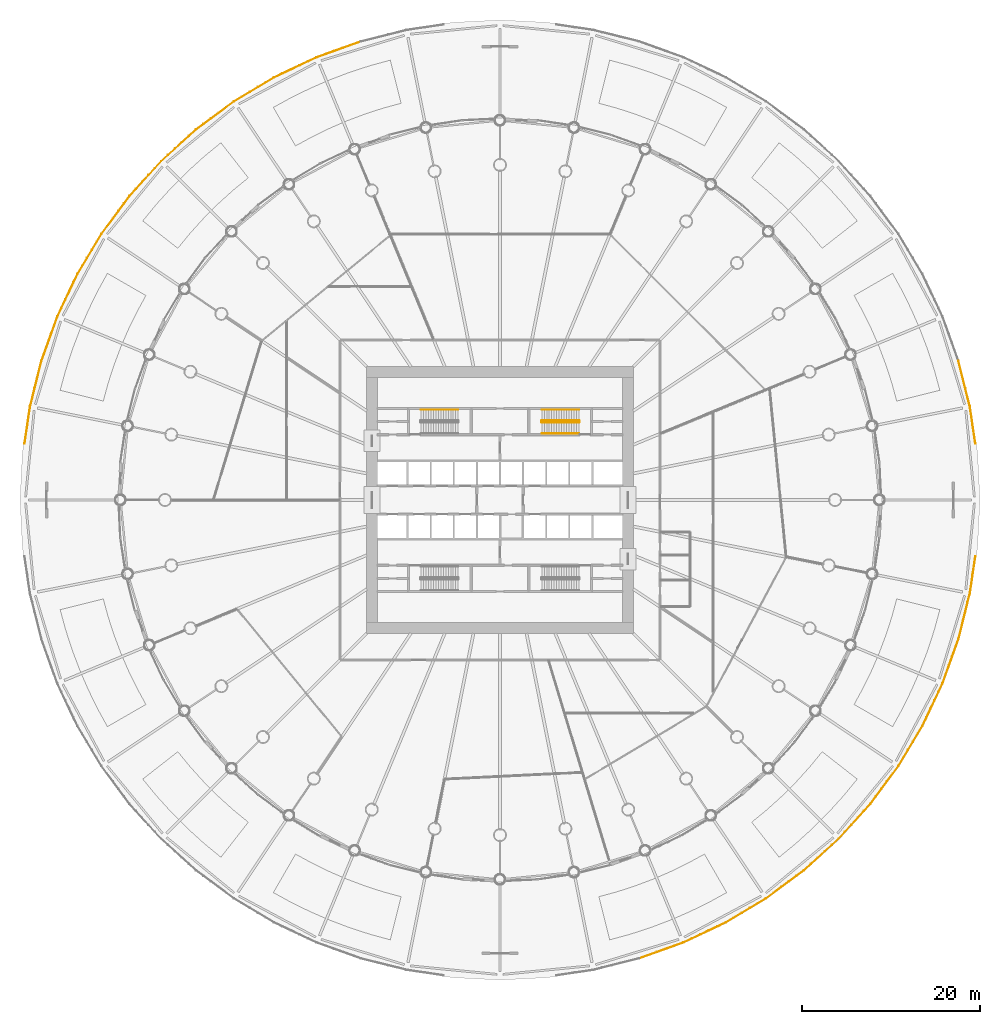
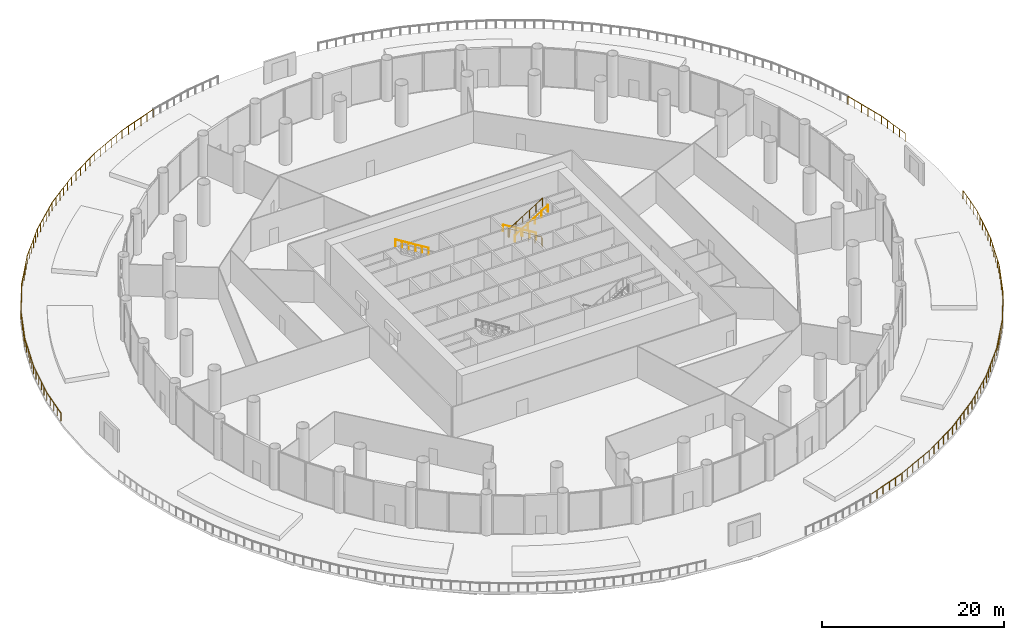
# One storey, part 35 of 36: 7 railings.
"""IFC4 building model written with IfcOpenShell, lengths in metres."""

from ifc_helpers import new_model, si_unit, direction, frame, origin, origin_2d, place, context, subcontext, project, spatial, circle, extrude, material, type_object, element, save


model = new_model("IFC4")

# Units and contexts
model_context = context("Model", 3, precision=1e-05, world=origin(), true_north=direction((0.0, 1.0)))
body_context = subcontext(model_context, "Body", "Model", "MODEL_VIEW")
ifc_project = project(units=[si_unit("LENGTHUNIT", "METRE"), si_unit("AREAUNIT", "SQUARE_METRE"), si_unit("VOLUMEUNIT", "CUBIC_METRE"), si_unit("PLANEANGLEUNIT", "RADIAN"), si_unit("MASSUNIT", "GRAM", prefix="KILO")], contexts=[model_context])

# Site, building, storey
site_placement = place(None, origin())
site = spatial("IfcSite", under=ifc_project, at=site_placement, CompositionType="ELEMENT")
building_placement = place(site_placement, origin())
building = spatial("IfcBuilding", under=site, at=building_placement, Name="Corvane Civic Tower", CompositionType="ELEMENT")
storey_placement = place(building_placement, frame((0.0, 0.0, 6.0)))
storey = spatial("IfcBuildingStorey", under=building, at=storey_placement, Name="L01", CompositionType="ELEMENT", Elevation=6.0)

# Railings
ifc_material_1 = material(Name="Steel ASTM A572 Gr 50", Category="steel")
railing_type_1 = type_object("IfcRailingType", Name="PODIUM-RL-GUARD-1100", PredefinedType="GUARDRAIL", material=ifc_material_1)
railing_1_placement = place(storey_placement, frame((-53.482177734375, 6.35009765625, 0.0)))
element("IfcRailing", 1, at=railing_1_placement, inside=storey, type_object=railing_type_1, Name="Garden deck guard 1", PredefinedType="GUARDRAIL", context=body_context, shape_type="SweptSolid", body=[
    extrude(circle(Radius=0.02392578125, at=origin_2d()), frame((0.0, 0.0, 1.076171875), z_axis=(0.146744073666, 0.989174492617, 0.0), x_axis=(-0.989174492617, 0.146744073666, 0.0)), (0.0, 0.0, 1.0), 4.2109375),
    extrude(circle(Radius=0.02392578125, at=origin_2d()), frame((0.617919921875, 4.165283203125, 1.076171875), z_axis=(0.242970018777, 0.970033798368, 0.0), x_axis=(-0.970033798368, 0.242970018777, 0.0)), (0.0, 0.0, 1.0), 5.289306640625),
    extrude(circle(Radius=0.02392578125, at=origin_2d()), frame((1.903076171875, 9.296142578125, 1.076171875), z_axis=(0.33693572485, 0.941527650852, 0.0), x_axis=(-0.941527650852, 0.33693572485, 0.0)), (0.0, 0.0, 1.0), 5.28955078125),
    extrude(circle(Radius=0.02392578125, at=origin_2d()), frame((3.685302734375, 14.2763671875, 1.076171875), z_axis=(0.427536683178, 0.903998000295, 0.0), x_axis=(-0.903998000295, 0.427536683178, 0.0)), (0.0, 0.0, 1.0), 5.28955078125),
    extrude(circle(Radius=0.02392578125, at=origin_2d()), frame((5.94677734375, 19.05810546875, 1.076171875), z_axis=(0.514095220589, 0.85773311943, 0.0), x_axis=(-0.85773311943, 0.514095220589, 0.0)), (0.0, 0.0, 1.0), 5.289306640625),
    extrude(circle(Radius=0.02392578125, at=origin_2d()), frame((8.666015625, 23.594970703125, 1.076171875), z_axis=(0.595671181716, 0.80322838799, 0.0), x_axis=(-0.80322838799, 0.595671181716, 0.0)), (0.0, 0.0, 1.0), 5.28955078125),
    extrude(circle(Radius=0.02392578125, at=origin_2d()), frame((11.81689453125, 27.84375, 1.076171875), z_axis=(0.671569316208, 0.740941734233, 0.0), x_axis=(-0.740941734233, 0.671569316208, 0.0)), (0.0, 0.0, 1.0), 5.28955078125),
    extrude(circle(Radius=0.02392578125, at=origin_2d()), frame((15.369140625, 31.762939453125, 1.076171875), z_axis=(0.740941734233, 0.671569316208, 0.0), x_axis=(-0.671569316208, 0.740941734233, 0.0)), (0.0, 0.0, 1.0), 5.28955078125),
    extrude(circle(Radius=0.02392578125, at=origin_2d()), frame((19.288330078125, 35.315185546875, 1.076171875), z_axis=(0.80322838799, 0.595671181716, 0.0), x_axis=(-0.595671181716, 0.80322838799, 0.0)), (0.0, 0.0, 1.0), 5.28955078125),
    extrude(circle(Radius=0.02392578125, at=origin_2d()), frame((23.537109375, 38.466064453125, 1.076171875), z_axis=(0.85773311943, 0.514095220589, 0.0), x_axis=(-0.514095220589, 0.85773311943, 0.0)), (0.0, 0.0, 1.0), 5.289306640625),
    extrude(circle(Radius=0.02392578125, at=origin_2d()), frame((28.073974609375, 41.185302734375, 1.076171875), z_axis=(0.903998000295, 0.427536683178, 0.0), x_axis=(-0.427536683178, 0.903998000295, 0.0)), (0.0, 0.0, 1.0), 5.28955078125),
    extrude(circle(Radius=0.02392578125, at=origin_2d()), frame((32.855712890625, 43.44677734375, 1.076171875), z_axis=(0.941531880731, 0.336923904714, 0.0), x_axis=(-0.336923904714, 0.941531880731, 0.0)), (0.0, 0.0, 1.0), 5.264404296875),
    extrude(circle(Radius=0.02099609375, at=origin_2d()), origin(), (0.0, 0.0, 1.0), 1.052001953125),
    extrude(circle(Radius=0.02099609375, at=origin_2d()), frame((0.154541015625, 1.041259765625, 0.0)), (0.0, 0.0, 1.0), 1.052001953125),
    extrude(circle(Radius=0.02099609375, at=origin_2d()), frame((0.30908203125, 2.08251953125, 0.0)), (0.0, 0.0, 1.0), 1.052001953125),
    extrude(circle(Radius=0.02099609375, at=origin_2d()), frame((0.46337890625, 3.1240234375, 0.0)), (0.0, 0.0, 1.0), 1.052001953125),
    extrude(circle(Radius=0.02099609375, at=origin_2d()), frame((0.617919921875, 4.165283203125, 0.0)), (0.0, 0.0, 1.0), 1.052001953125),
    extrude(circle(Radius=0.02099609375, at=origin_2d()), frame((0.875, 5.19140625, 0.0)), (0.0, 0.0, 1.0), 1.052001953125),
    extrude(circle(Radius=0.02099609375, at=origin_2d()), frame((1.132080078125, 6.217529296875, 0.0)), (0.0, 0.0, 1.0), 1.052001953125),
    extrude(circle(Radius=0.02099609375, at=origin_2d()), frame((1.388916015625, 7.243896484375, 0.0)), (0.0, 0.0, 1.0), 1.052001953125),
    extrude(circle(Radius=0.02099609375, at=origin_2d()), frame((1.64599609375, 8.27001953125, 0.0)), (0.0, 0.0, 1.0), 1.052001953125),
    extrude(circle(Radius=0.02099609375, at=origin_2d()), frame((1.903076171875, 9.296142578125, 0.0)), (0.0, 0.0, 1.0), 1.052001953125),
    extrude(circle(Radius=0.02099609375, at=origin_2d()), frame((2.259521484375, 10.292236328125, 0.0)), (0.0, 0.0, 1.0), 1.052001953125),
    extrude(circle(Radius=0.02099609375, at=origin_2d()), frame((2.615966796875, 11.288330078125, 0.0)), (0.0, 0.0, 1.0), 1.052001953125),
    extrude(circle(Radius=0.02099609375, at=origin_2d()), frame((2.972412109375, 12.2841796875, 0.0)), (0.0, 0.0, 1.0), 1.052001953125),
    extrude(circle(Radius=0.02099609375, at=origin_2d()), frame((3.328857421875, 13.2802734375, 0.0)), (0.0, 0.0, 1.0), 1.052001953125),
    extrude(circle(Radius=0.02099609375, at=origin_2d()), frame((3.685302734375, 14.2763671875, 0.0)), (0.0, 0.0, 1.0), 1.052001953125),
    extrude(circle(Radius=0.02099609375, at=origin_2d()), frame((4.1376953125, 15.232666015625, 0.0)), (0.0, 0.0, 1.0), 1.052001953125),
    extrude(circle(Radius=0.02099609375, at=origin_2d()), frame((4.58984375, 16.18896484375, 0.0)), (0.0, 0.0, 1.0), 1.052001953125),
    extrude(circle(Radius=0.02099609375, at=origin_2d()), frame((5.042236328125, 17.1455078125, 0.0)), (0.0, 0.0, 1.0), 1.052001953125),
    extrude(circle(Radius=0.02099609375, at=origin_2d()), frame((5.494384765625, 18.101806640625, 0.0)), (0.0, 0.0, 1.0), 1.052001953125),
    extrude(circle(Radius=0.02099609375, at=origin_2d()), frame((5.94677734375, 19.05810546875, 0.0)), (0.0, 0.0, 1.0), 1.052001953125),
    extrude(circle(Radius=0.02099609375, at=origin_2d()), frame((6.49072265625, 19.965576171875, 0.0)), (0.0, 0.0, 1.0), 1.052001953125),
    extrude(circle(Radius=0.02099609375, at=origin_2d()), frame((7.034423828125, 20.872802734375, 0.0)), (0.0, 0.0, 1.0), 1.052001953125),
    extrude(circle(Radius=0.02099609375, at=origin_2d()), frame((7.578369140625, 21.7802734375, 0.0)), (0.0, 0.0, 1.0), 1.052001953125),
    extrude(circle(Radius=0.02099609375, at=origin_2d()), frame((8.1220703125, 22.6875, 0.0)), (0.0, 0.0, 1.0), 1.052001953125),
    extrude(circle(Radius=0.02099609375, at=origin_2d()), frame((8.666015625, 23.594970703125, 0.0)), (0.0, 0.0, 1.0), 1.052001953125),
    extrude(circle(Radius=0.02099609375, at=origin_2d()), frame((9.296142578125, 24.44482421875, 0.0)), (0.0, 0.0, 1.0), 1.052001953125),
    extrude(circle(Radius=0.02099609375, at=origin_2d()), frame((9.92626953125, 25.29443359375, 0.0)), (0.0, 0.0, 1.0), 1.052001953125),
    extrude(circle(Radius=0.02099609375, at=origin_2d()), frame((10.556640625, 26.144287109375, 0.0)), (0.0, 0.0, 1.0), 1.052001953125),
    extrude(circle(Radius=0.02099609375, at=origin_2d()), frame((11.186767578125, 26.993896484375, 0.0)), (0.0, 0.0, 1.0), 1.052001953125),
    extrude(circle(Radius=0.02099609375, at=origin_2d()), frame((11.81689453125, 27.84375, 0.0)), (0.0, 0.0, 1.0), 1.052001953125),
    extrude(circle(Radius=0.02099609375, at=origin_2d()), frame((12.52734375, 28.627685546875, 0.0)), (0.0, 0.0, 1.0), 1.052001953125),
    extrude(circle(Radius=0.02099609375, at=origin_2d()), frame((13.23779296875, 29.411376953125, 0.0)), (0.0, 0.0, 1.0), 1.052001953125),
    extrude(circle(Radius=0.02099609375, at=origin_2d()), frame((13.9482421875, 30.1953125, 0.0)), (0.0, 0.0, 1.0), 1.052001953125),
    extrude(circle(Radius=0.02099609375, at=origin_2d()), frame((14.65869140625, 30.97900390625, 0.0)), (0.0, 0.0, 1.0), 1.052001953125),
    extrude(circle(Radius=0.02099609375, at=origin_2d()), frame((15.369140625, 31.762939453125, 0.0)), (0.0, 0.0, 1.0), 1.052001953125),
    extrude(circle(Radius=0.02099609375, at=origin_2d()), frame((16.153076171875, 32.473388671875, 0.0)), (0.0, 0.0, 1.0), 1.052001953125),
    extrude(circle(Radius=0.02099609375, at=origin_2d()), frame((16.936767578125, 33.183837890625, 0.0)), (0.0, 0.0, 1.0), 1.052001953125),
    extrude(circle(Radius=0.02099609375, at=origin_2d()), frame((17.720703125, 33.894287109375, 0.0)), (0.0, 0.0, 1.0), 1.052001953125),
    extrude(circle(Radius=0.02099609375, at=origin_2d()), frame((18.50439453125, 34.604736328125, 0.0)), (0.0, 0.0, 1.0), 1.052001953125),
    extrude(circle(Radius=0.02099609375, at=origin_2d()), frame((19.288330078125, 35.315185546875, 0.0)), (0.0, 0.0, 1.0), 1.052001953125),
    extrude(circle(Radius=0.02099609375, at=origin_2d()), frame((20.13818359375, 35.9453125, 0.0)), (0.0, 0.0, 1.0), 1.052001953125),
    extrude(circle(Radius=0.02099609375, at=origin_2d()), frame((20.98779296875, 36.575439453125, 0.0)), (0.0, 0.0, 1.0), 1.052001953125),
    extrude(circle(Radius=0.02099609375, at=origin_2d()), frame((21.837646484375, 37.205810546875, 0.0)), (0.0, 0.0, 1.0), 1.052001953125),
    extrude(circle(Radius=0.02099609375, at=origin_2d()), frame((22.687255859375, 37.8359375, 0.0)), (0.0, 0.0, 1.0), 1.052001953125),
    extrude(circle(Radius=0.02099609375, at=origin_2d()), frame((23.537109375, 38.466064453125, 0.0)), (0.0, 0.0, 1.0), 1.052001953125),
    extrude(circle(Radius=0.02099609375, at=origin_2d()), frame((24.444580078125, 39.010009765625, 0.0)), (0.0, 0.0, 1.0), 1.052001953125),
    extrude(circle(Radius=0.02099609375, at=origin_2d()), frame((25.351806640625, 39.5537109375, 0.0)), (0.0, 0.0, 1.0), 1.052001953125),
    extrude(circle(Radius=0.02099609375, at=origin_2d()), frame((26.25927734375, 40.09765625, 0.0)), (0.0, 0.0, 1.0), 1.052001953125),
    extrude(circle(Radius=0.02099609375, at=origin_2d()), frame((27.16650390625, 40.641357421875, 0.0)), (0.0, 0.0, 1.0), 1.052001953125),
    extrude(circle(Radius=0.02099609375, at=origin_2d()), frame((28.073974609375, 41.185302734375, 0.0)), (0.0, 0.0, 1.0), 1.052001953125),
    extrude(circle(Radius=0.02099609375, at=origin_2d()), frame((29.0302734375, 41.6376953125, 0.0)), (0.0, 0.0, 1.0), 1.052001953125),
    extrude(circle(Radius=0.02099609375, at=origin_2d()), frame((29.986572265625, 42.08984375, 0.0)), (0.0, 0.0, 1.0), 1.052001953125),
    extrude(circle(Radius=0.02099609375, at=origin_2d()), frame((30.943115234375, 42.542236328125, 0.0)), (0.0, 0.0, 1.0), 1.052001953125),
    extrude(circle(Radius=0.02099609375, at=origin_2d()), frame((31.8994140625, 42.994384765625, 0.0)), (0.0, 0.0, 1.0), 1.052001953125),
    extrude(circle(Radius=0.02099609375, at=origin_2d()), frame((32.855712890625, 43.44677734375, 0.0)), (0.0, 0.0, 1.0), 1.052001953125),
    extrude(circle(Radius=0.02099609375, at=origin_2d()), frame((33.846923828125, 43.801513671875, 0.0)), (0.0, 0.0, 1.0), 1.052001953125),
    extrude(circle(Radius=0.02099609375, at=origin_2d()), frame((34.83837890625, 44.15625, 0.0)), (0.0, 0.0, 1.0), 1.052001953125),
    extrude(circle(Radius=0.02099609375, at=origin_2d()), frame((35.82958984375, 44.510986328125, 0.0)), (0.0, 0.0, 1.0), 1.052001953125),
    extrude(circle(Radius=0.02099609375, at=origin_2d()), frame((36.821044921875, 44.86572265625, 0.0)), (0.0, 0.0, 1.0), 1.052001953125),
    extrude(circle(Radius=0.02099609375, at=origin_2d()), frame((37.812255859375, 45.220458984375, 0.0)), (0.0, 0.0, 1.0), 1.052001953125),
])
railing_2_placement = place(storey_placement, frame((51.585205078125, 15.6220703125, 0.0)))
element("IfcRailing", 2, at=railing_2_placement, inside=storey, type_object=railing_type_1, Name="Garden deck guard 6", PredefinedType="GUARDRAIL", context=body_context, shape_type="SweptSolid", body=[
    extrude(circle(Radius=0.02392578125, at=origin_2d()), frame((0.0, 0.0, 1.076171875), z_axis=(0.242961164974, -0.970036015988, 0.0), x_axis=(0.970036015988, 0.242961164974, 0.0)), (0.0, 0.0, 1.0), 5.264404296875),
    extrude(circle(Radius=0.02392578125, at=origin_2d()), frame((1.279052734375, -5.106689453125, 1.076171875), z_axis=(0.146744073666, -0.989174492617, 0.0), x_axis=(0.989174492617, 0.146744073666, 0.0)), (0.0, 0.0, 1.0), 4.2109375),
    extrude(circle(Radius=0.02099609375, at=origin_2d()), origin(), (0.0, 0.0, 1.0), 1.052001953125),
    extrude(circle(Radius=0.02099609375, at=origin_2d()), frame((0.255859375, -1.021240234375, 0.0)), (0.0, 0.0, 1.0), 1.052001953125),
    extrude(circle(Radius=0.02099609375, at=origin_2d()), frame((0.51171875, -2.042724609375, 0.0)), (0.0, 0.0, 1.0), 1.052001953125),
    extrude(circle(Radius=0.02099609375, at=origin_2d()), frame((0.767333984375, -3.06396484375, 0.0)), (0.0, 0.0, 1.0), 1.052001953125),
    extrude(circle(Radius=0.02099609375, at=origin_2d()), frame((1.023193359375, -4.08544921875, 0.0)), (0.0, 0.0, 1.0), 1.052001953125),
    extrude(circle(Radius=0.02099609375, at=origin_2d()), frame((1.279052734375, -5.106689453125, 0.0)), (0.0, 0.0, 1.0), 1.052001953125),
    extrude(circle(Radius=0.02099609375, at=origin_2d()), frame((1.43359375, -6.14794921875, 0.0)), (0.0, 0.0, 1.0), 1.052001953125),
    extrude(circle(Radius=0.02099609375, at=origin_2d()), frame((1.587890625, -7.189453125, 0.0)), (0.0, 0.0, 1.0), 1.052001953125),
    extrude(circle(Radius=0.02099609375, at=origin_2d()), frame((1.742431640625, -8.230712890625, 0.0)), (0.0, 0.0, 1.0), 1.052001953125),
    extrude(circle(Radius=0.02099609375, at=origin_2d()), frame((1.89697265625, -9.27197265625, 0.0)), (0.0, 0.0, 1.0), 1.052001953125),
])
railing_3_placement = place(storey_placement, frame((53.482177734375, -6.35009765625, 0.0)))
element("IfcRailing", 3, at=railing_3_placement, inside=storey, type_object=railing_type_1, Name="Garden deck guard 7", PredefinedType="GUARDRAIL", context=body_context, shape_type="SweptSolid", body=[
    extrude(circle(Radius=0.02392578125, at=origin_2d()), frame((0.0, 0.0, 1.076171875), z_axis=(-0.146744073666, -0.989174492617, 0.0), x_axis=(0.989174492617, -0.146744073666, 0.0)), (0.0, 0.0, 1.0), 4.2109375),
    extrude(circle(Radius=0.02392578125, at=origin_2d()), frame((-0.617919921875, -4.165283203125, 1.076171875), z_axis=(-0.242970018777, -0.970033798368, 0.0), x_axis=(0.970033798368, -0.242970018777, 0.0)), (0.0, 0.0, 1.0), 5.289306640625),
    extrude(circle(Radius=0.02392578125, at=origin_2d()), frame((-1.903076171875, -9.296142578125, 1.076171875), z_axis=(-0.33693572485, -0.941527650852, 0.0), x_axis=(0.941527650852, -0.33693572485, 0.0)), (0.0, 0.0, 1.0), 5.28955078125),
    extrude(circle(Radius=0.02392578125, at=origin_2d()), frame((-3.685302734375, -14.2763671875, 1.076171875), z_axis=(-0.427536683178, -0.903998000295, 0.0), x_axis=(0.903998000295, -0.427536683178, 0.0)), (0.0, 0.0, 1.0), 5.28955078125),
    extrude(circle(Radius=0.02392578125, at=origin_2d()), frame((-5.94677734375, -19.05810546875, 1.076171875), z_axis=(-0.514095220589, -0.85773311943, 0.0), x_axis=(0.85773311943, -0.514095220589, 0.0)), (0.0, 0.0, 1.0), 5.289306640625),
    extrude(circle(Radius=0.02392578125, at=origin_2d()), frame((-8.666015625, -23.594970703125, 1.076171875), z_axis=(-0.595671181716, -0.80322838799, 0.0), x_axis=(0.80322838799, -0.595671181716, 0.0)), (0.0, 0.0, 1.0), 5.28955078125),
    extrude(circle(Radius=0.02392578125, at=origin_2d()), frame((-11.81689453125, -27.84375, 1.076171875), z_axis=(-0.671569316208, -0.740941734233, 0.0), x_axis=(0.740941734233, -0.671569316208, 0.0)), (0.0, 0.0, 1.0), 5.28955078125),
    extrude(circle(Radius=0.02392578125, at=origin_2d()), frame((-15.369140625, -31.762939453125, 1.076171875), z_axis=(-0.740941734233, -0.671569316208, 0.0), x_axis=(0.671569316208, -0.740941734233, 0.0)), (0.0, 0.0, 1.0), 5.28955078125),
    extrude(circle(Radius=0.02392578125, at=origin_2d()), frame((-19.288330078125, -35.315185546875, 1.076171875), z_axis=(-0.80322838799, -0.595671181716, 0.0), x_axis=(0.595671181716, -0.80322838799, 0.0)), (0.0, 0.0, 1.0), 5.28955078125),
    extrude(circle(Radius=0.02392578125, at=origin_2d()), frame((-23.537109375, -38.466064453125, 1.076171875), z_axis=(-0.85773311943, -0.514095220589, 0.0), x_axis=(0.514095220589, -0.85773311943, 0.0)), (0.0, 0.0, 1.0), 5.289306640625),
    extrude(circle(Radius=0.02392578125, at=origin_2d()), frame((-28.073974609375, -41.185302734375, 1.076171875), z_axis=(-0.903998000295, -0.427536683178, 0.0), x_axis=(0.427536683178, -0.903998000295, 0.0)), (0.0, 0.0, 1.0), 5.28955078125),
    extrude(circle(Radius=0.02392578125, at=origin_2d()), frame((-32.855712890625, -43.44677734375, 1.076171875), z_axis=(-0.941531880731, -0.336923904714, 0.0), x_axis=(0.336923904714, -0.941531880731, 0.0)), (0.0, 0.0, 1.0), 5.264404296875),
    extrude(circle(Radius=0.02099609375, at=origin_2d()), origin(), (0.0, 0.0, 1.0), 1.052001953125),
    extrude(circle(Radius=0.02099609375, at=origin_2d()), frame((-0.154541015625, -1.041259765625, 0.0)), (0.0, 0.0, 1.0), 1.052001953125),
    extrude(circle(Radius=0.02099609375, at=origin_2d()), frame((-0.30908203125, -2.08251953125, 0.0)), (0.0, 0.0, 1.0), 1.052001953125),
    extrude(circle(Radius=0.02099609375, at=origin_2d()), frame((-0.46337890625, -3.1240234375, 0.0)), (0.0, 0.0, 1.0), 1.052001953125),
    extrude(circle(Radius=0.02099609375, at=origin_2d()), frame((-0.617919921875, -4.165283203125, 0.0)), (0.0, 0.0, 1.0), 1.052001953125),
    extrude(circle(Radius=0.02099609375, at=origin_2d()), frame((-0.875, -5.19140625, 0.0)), (0.0, 0.0, 1.0), 1.052001953125),
    extrude(circle(Radius=0.02099609375, at=origin_2d()), frame((-1.132080078125, -6.217529296875, 0.0)), (0.0, 0.0, 1.0), 1.052001953125),
    extrude(circle(Radius=0.02099609375, at=origin_2d()), frame((-1.388916015625, -7.243896484375, 0.0)), (0.0, 0.0, 1.0), 1.052001953125),
    extrude(circle(Radius=0.02099609375, at=origin_2d()), frame((-1.64599609375, -8.27001953125, 0.0)), (0.0, 0.0, 1.0), 1.052001953125),
    extrude(circle(Radius=0.02099609375, at=origin_2d()), frame((-1.903076171875, -9.296142578125, 0.0)), (0.0, 0.0, 1.0), 1.052001953125),
    extrude(circle(Radius=0.02099609375, at=origin_2d()), frame((-2.259521484375, -10.292236328125, 0.0)), (0.0, 0.0, 1.0), 1.052001953125),
    extrude(circle(Radius=0.02099609375, at=origin_2d()), frame((-2.615966796875, -11.288330078125, 0.0)), (0.0, 0.0, 1.0), 1.052001953125),
    extrude(circle(Radius=0.02099609375, at=origin_2d()), frame((-2.972412109375, -12.2841796875, 0.0)), (0.0, 0.0, 1.0), 1.052001953125),
    extrude(circle(Radius=0.02099609375, at=origin_2d()), frame((-3.328857421875, -13.2802734375, 0.0)), (0.0, 0.0, 1.0), 1.052001953125),
    extrude(circle(Radius=0.02099609375, at=origin_2d()), frame((-3.685302734375, -14.2763671875, 0.0)), (0.0, 0.0, 1.0), 1.052001953125),
    extrude(circle(Radius=0.02099609375, at=origin_2d()), frame((-4.1376953125, -15.232666015625, 0.0)), (0.0, 0.0, 1.0), 1.052001953125),
    extrude(circle(Radius=0.02099609375, at=origin_2d()), frame((-4.58984375, -16.18896484375, 0.0)), (0.0, 0.0, 1.0), 1.052001953125),
    extrude(circle(Radius=0.02099609375, at=origin_2d()), frame((-5.042236328125, -17.1455078125, 0.0)), (0.0, 0.0, 1.0), 1.052001953125),
    extrude(circle(Radius=0.02099609375, at=origin_2d()), frame((-5.494384765625, -18.101806640625, 0.0)), (0.0, 0.0, 1.0), 1.052001953125),
    extrude(circle(Radius=0.02099609375, at=origin_2d()), frame((-5.94677734375, -19.05810546875, 0.0)), (0.0, 0.0, 1.0), 1.052001953125),
    extrude(circle(Radius=0.02099609375, at=origin_2d()), frame((-6.49072265625, -19.965576171875, 0.0)), (0.0, 0.0, 1.0), 1.052001953125),
    extrude(circle(Radius=0.02099609375, at=origin_2d()), frame((-7.034423828125, -20.872802734375, 0.0)), (0.0, 0.0, 1.0), 1.052001953125),
    extrude(circle(Radius=0.02099609375, at=origin_2d()), frame((-7.578369140625, -21.7802734375, 0.0)), (0.0, 0.0, 1.0), 1.052001953125),
    extrude(circle(Radius=0.02099609375, at=origin_2d()), frame((-8.1220703125, -22.6875, 0.0)), (0.0, 0.0, 1.0), 1.052001953125),
    extrude(circle(Radius=0.02099609375, at=origin_2d()), frame((-8.666015625, -23.594970703125, 0.0)), (0.0, 0.0, 1.0), 1.052001953125),
    extrude(circle(Radius=0.02099609375, at=origin_2d()), frame((-9.296142578125, -24.44482421875, 0.0)), (0.0, 0.0, 1.0), 1.052001953125),
    extrude(circle(Radius=0.02099609375, at=origin_2d()), frame((-9.92626953125, -25.29443359375, 0.0)), (0.0, 0.0, 1.0), 1.052001953125),
    extrude(circle(Radius=0.02099609375, at=origin_2d()), frame((-10.556640625, -26.144287109375, 0.0)), (0.0, 0.0, 1.0), 1.052001953125),
    extrude(circle(Radius=0.02099609375, at=origin_2d()), frame((-11.186767578125, -26.993896484375, 0.0)), (0.0, 0.0, 1.0), 1.052001953125),
    extrude(circle(Radius=0.02099609375, at=origin_2d()), frame((-11.81689453125, -27.84375, 0.0)), (0.0, 0.0, 1.0), 1.052001953125),
    extrude(circle(Radius=0.02099609375, at=origin_2d()), frame((-12.52734375, -28.627685546875, 0.0)), (0.0, 0.0, 1.0), 1.052001953125),
    extrude(circle(Radius=0.02099609375, at=origin_2d()), frame((-13.23779296875, -29.411376953125, 0.0)), (0.0, 0.0, 1.0), 1.052001953125),
    extrude(circle(Radius=0.02099609375, at=origin_2d()), frame((-13.9482421875, -30.1953125, 0.0)), (0.0, 0.0, 1.0), 1.052001953125),
    extrude(circle(Radius=0.02099609375, at=origin_2d()), frame((-14.65869140625, -30.97900390625, 0.0)), (0.0, 0.0, 1.0), 1.052001953125),
    extrude(circle(Radius=0.02099609375, at=origin_2d()), frame((-15.369140625, -31.762939453125, 0.0)), (0.0, 0.0, 1.0), 1.052001953125),
    extrude(circle(Radius=0.02099609375, at=origin_2d()), frame((-16.153076171875, -32.473388671875, 0.0)), (0.0, 0.0, 1.0), 1.052001953125),
    extrude(circle(Radius=0.02099609375, at=origin_2d()), frame((-16.936767578125, -33.183837890625, 0.0)), (0.0, 0.0, 1.0), 1.052001953125),
    extrude(circle(Radius=0.02099609375, at=origin_2d()), frame((-17.720703125, -33.894287109375, 0.0)), (0.0, 0.0, 1.0), 1.052001953125),
    extrude(circle(Radius=0.02099609375, at=origin_2d()), frame((-18.50439453125, -34.604736328125, 0.0)), (0.0, 0.0, 1.0), 1.052001953125),
    extrude(circle(Radius=0.02099609375, at=origin_2d()), frame((-19.288330078125, -35.315185546875, 0.0)), (0.0, 0.0, 1.0), 1.052001953125),
    extrude(circle(Radius=0.02099609375, at=origin_2d()), frame((-20.13818359375, -35.9453125, 0.0)), (0.0, 0.0, 1.0), 1.052001953125),
    extrude(circle(Radius=0.02099609375, at=origin_2d()), frame((-20.98779296875, -36.575439453125, 0.0)), (0.0, 0.0, 1.0), 1.052001953125),
    extrude(circle(Radius=0.02099609375, at=origin_2d()), frame((-21.837646484375, -37.205810546875, 0.0)), (0.0, 0.0, 1.0), 1.052001953125),
    extrude(circle(Radius=0.02099609375, at=origin_2d()), frame((-22.687255859375, -37.8359375, 0.0)), (0.0, 0.0, 1.0), 1.052001953125),
    extrude(circle(Radius=0.02099609375, at=origin_2d()), frame((-23.537109375, -38.466064453125, 0.0)), (0.0, 0.0, 1.0), 1.052001953125),
    extrude(circle(Radius=0.02099609375, at=origin_2d()), frame((-24.444580078125, -39.010009765625, 0.0)), (0.0, 0.0, 1.0), 1.052001953125),
    extrude(circle(Radius=0.02099609375, at=origin_2d()), frame((-25.351806640625, -39.5537109375, 0.0)), (0.0, 0.0, 1.0), 1.052001953125),
    extrude(circle(Radius=0.02099609375, at=origin_2d()), frame((-26.25927734375, -40.09765625, 0.0)), (0.0, 0.0, 1.0), 1.052001953125),
    extrude(circle(Radius=0.02099609375, at=origin_2d()), frame((-27.16650390625, -40.641357421875, 0.0)), (0.0, 0.0, 1.0), 1.052001953125),
    extrude(circle(Radius=0.02099609375, at=origin_2d()), frame((-28.073974609375, -41.185302734375, 0.0)), (0.0, 0.0, 1.0), 1.052001953125),
    extrude(circle(Radius=0.02099609375, at=origin_2d()), frame((-29.0302734375, -41.6376953125, 0.0)), (0.0, 0.0, 1.0), 1.052001953125),
    extrude(circle(Radius=0.02099609375, at=origin_2d()), frame((-29.986572265625, -42.08984375, 0.0)), (0.0, 0.0, 1.0), 1.052001953125),
    extrude(circle(Radius=0.02099609375, at=origin_2d()), frame((-30.943115234375, -42.542236328125, 0.0)), (0.0, 0.0, 1.0), 1.052001953125),
    extrude(circle(Radius=0.02099609375, at=origin_2d()), frame((-31.8994140625, -42.994384765625, 0.0)), (0.0, 0.0, 1.0), 1.052001953125),
    extrude(circle(Radius=0.02099609375, at=origin_2d()), frame((-32.855712890625, -43.44677734375, 0.0)), (0.0, 0.0, 1.0), 1.052001953125),
    extrude(circle(Radius=0.02099609375, at=origin_2d()), frame((-33.846923828125, -43.801513671875, 0.0)), (0.0, 0.0, 1.0), 1.052001953125),
    extrude(circle(Radius=0.02099609375, at=origin_2d()), frame((-34.83837890625, -44.15625, 0.0)), (0.0, 0.0, 1.0), 1.052001953125),
    extrude(circle(Radius=0.02099609375, at=origin_2d()), frame((-35.82958984375, -44.510986328125, 0.0)), (0.0, 0.0, 1.0), 1.052001953125),
    extrude(circle(Radius=0.02099609375, at=origin_2d()), frame((-36.821044921875, -44.86572265625, 0.0)), (0.0, 0.0, 1.0), 1.052001953125),
    extrude(circle(Radius=0.02099609375, at=origin_2d()), frame((-37.812255859375, -45.220458984375, 0.0)), (0.0, 0.0, 1.0), 1.052001953125),
])
ifc_material_2 = material(Name="Steel ASTM A572 Gr 50", Category="steel")
railing_type_2 = type_object("IfcRailingType", Name="ST-GUARD-1100", PredefinedType="GUARDRAIL", material=ifc_material_2)
railing_4_placement = place(storey_placement, frame((8.949951171875, 8.75, 0.0)))
element("IfcRailing", 4, at=railing_4_placement, inside=storey, type_object=railing_type_2, Name="L01 ST1 stair guard 1", PredefinedType="GUARDRAIL", context=body_context, shape_type="SweptSolid", body=[
    extrude(circle(Radius=0.02392578125, at=origin_2d()), frame((0.0, 0.0, 1.076171875), z_axis=(0.0, 1.0, 0.0), x_axis=(-1.0, 0.0, 0.0)), (0.0, 0.0, 1.0), 0.14990234375),
    extrude(circle(Radius=0.02392578125, at=origin_2d()), frame((0.0, 0.14990234375, 1.076171875), z_axis=(-0.269255725606, 0.269255725606, 0.92466356501), x_axis=(-0.707106781187, -0.707106781187, 0.0)), (0.0, 0.0, 1.0), 0.185791015625),
    extrude(circle(Radius=0.02392578125, at=origin_2d()), frame((-0.050048828125, 0.199951171875, 1.248046875), z_axis=(-0.852242915053, 0.0, 0.523146264196), x_axis=(0.0, -1.0, 0.0)), (0.0, 0.0, 1.0), 4.92822265625),
    extrude(circle(Radius=0.02392578125, at=origin_2d()), frame((-4.25, 0.199951171875, 3.826171875), z_axis=(-0.707106781187, -0.707106781187, 0.0), x_axis=(0.707106781187, -0.707106781187, 0.0)), (0.0, 0.0, 1.0), 0.07080078125),
    extrude(circle(Radius=0.02392578125, at=origin_2d()), frame((-4.300048828125, 0.14990234375, 3.826171875), z_axis=(0.0, -1.0, 0.0), x_axis=(1.0, 0.0, 0.0)), (0.0, 0.0, 1.0), 0.14990234375),
    extrude(circle(Radius=0.02392578125, at=origin_2d()), frame((-4.300048828125, 0.0, 3.826171875), z_axis=(0.269255725606, -0.269255725606, 0.92466356501), x_axis=(0.707106781187, 0.707106781187, 0.0)), (0.0, 0.0, 1.0), 0.185791015625),
    extrude(circle(Radius=0.02392578125, at=origin_2d()), frame((-4.25, -0.050048828125, 3.998046875), z_axis=(0.852242915053, 0.0, 0.523146264196), x_axis=(0.0, 1.0, 0.0)), (0.0, 0.0, 1.0), 4.92822265625),
    extrude(circle(Radius=0.02099609375, at=origin_2d()), origin(), (0.0, 0.0, 1.0), 1.052001953125),
    extrude(circle(Radius=0.02099609375, at=origin_2d()), frame((0.0, 0.14990234375, 0.0)), (0.0, 0.0, 1.0), 1.052001953125),
    extrude(circle(Radius=0.02099609375, at=origin_2d()), frame((-0.050048828125, 0.199951171875, 0.171875)), (0.0, 0.0, 1.0), 1.052001953125),
    extrude(circle(Radius=0.02099609375, at=origin_2d()), frame((-0.89013671875, 0.199951171875, 0.6875)), (0.0, 0.0, 1.0), 1.052001953125),
    extrude(circle(Radius=0.02099609375, at=origin_2d()), frame((-1.72998046875, 0.199951171875, 1.203125)), (0.0, 0.0, 1.0), 1.052001953125),
    extrude(circle(Radius=0.02099609375, at=origin_2d()), frame((-2.570068359375, 0.199951171875, 1.71875)), (0.0, 0.0, 1.0), 1.052001953125),
    extrude(circle(Radius=0.02099609375, at=origin_2d()), frame((-3.409912109375, 0.199951171875, 2.234375)), (0.0, 0.0, 1.0), 1.052001953125),
    extrude(circle(Radius=0.02099609375, at=origin_2d()), frame((-4.25, 0.199951171875, 2.75)), (0.0, 0.0, 1.0), 1.052001953125),
    extrude(circle(Radius=0.02099609375, at=origin_2d()), frame((-4.300048828125, 0.14990234375, 2.75)), (0.0, 0.0, 1.0), 1.052001953125),
    extrude(circle(Radius=0.02099609375, at=origin_2d()), frame((-4.300048828125, 0.0, 2.75)), (0.0, 0.0, 1.0), 1.052001953125),
    extrude(circle(Radius=0.02099609375, at=origin_2d()), frame((-4.25, -0.050048828125, 2.921875)), (0.0, 0.0, 1.0), 1.052001953125),
    extrude(circle(Radius=0.02099609375, at=origin_2d()), frame((-3.409912109375, -0.050048828125, 3.4375)), (0.0, 0.0, 1.0), 1.052001953125),
    extrude(circle(Radius=0.02099609375, at=origin_2d()), frame((-2.570068359375, -0.050048828125, 3.953125)), (0.0, 0.0, 1.0), 1.052001953125),
    extrude(circle(Radius=0.02099609375, at=origin_2d()), frame((-1.72998046875, -0.050048828125, 4.46875)), (0.0, 0.0, 1.0), 1.052001953125),
    extrude(circle(Radius=0.02099609375, at=origin_2d()), frame((-0.89013671875, -0.050048828125, 4.984375)), (0.0, 0.0, 1.0), 1.052001953125),
    extrude(circle(Radius=0.02099609375, at=origin_2d()), frame((-0.050048828125, -0.050048828125, 5.5)), (0.0, 0.0, 1.0), 1.052001953125),
])
ifc_material_3 = material(Name="Steel ASTM A572 Gr 50", Category="steel")
railing_type_3 = type_object("IfcRailingType", Name="ST-HANDRAIL-900", PredefinedType="HANDRAIL", material=ifc_material_3)
railing_5_placement = place(storey_placement, frame((8.89990234375, 10.14990234375, 0.171875)))
element("IfcRailing", 5, at=railing_5_placement, inside=storey, type_object=railing_type_3, Name="L01 ST1 stair handrail 1", PredefinedType="HANDRAIL", context=body_context, shape_type="SweptSolid", body=[
    extrude(circle(Radius=0.02392578125, at=origin_2d()), frame((0.0, 0.0, 0.8759765625), z_axis=(-0.852242915053, 0.0, 0.523146264196), x_axis=(0.0, -1.0, 0.0)), (0.0, 0.0, 1.0), 4.92822265625),
    extrude(circle(Radius=0.02099609375, at=origin_2d()), origin(), (0.0, 0.0, 1.0), 0.851806640625),
    extrude(circle(Radius=0.02099609375, at=origin_2d()), frame((-0.840087890625, 0.0, 0.515625)), (0.0, 0.0, 1.0), 0.851806640625),
    extrude(circle(Radius=0.02099609375, at=origin_2d()), frame((-1.679931640625, 0.0, 1.03125)), (0.0, 0.0, 1.0), 0.851806640625),
    extrude(circle(Radius=0.02099609375, at=origin_2d()), frame((-2.52001953125, 0.0, 1.546875)), (0.0, 0.0, 1.0), 0.851806640625),
    extrude(circle(Radius=0.02099609375, at=origin_2d()), frame((-3.35986328125, 0.0, 2.0625)), (0.0, 0.0, 1.0), 0.851806640625),
    extrude(circle(Radius=0.02099609375, at=origin_2d()), frame((-4.199951171875, 0.0, 2.578125)), (0.0, 0.0, 1.0), 0.851806640625),
])
railing_6_placement = place(storey_placement, frame((4.699951171875, 7.5, 2.921875)))
element("IfcRailing", 6, at=railing_6_placement, inside=storey, type_object=railing_type_3, Name="L01 ST1 stair handrail 2", PredefinedType="HANDRAIL", context=body_context, shape_type="SweptSolid", body=[
    extrude(circle(Radius=0.02392578125, at=origin_2d()), frame((0.0, 0.0, 0.8759765625), z_axis=(0.852242915053, 0.0, 0.523146264196), x_axis=(0.0, 1.0, 0.0)), (0.0, 0.0, 1.0), 4.92822265625),
    extrude(circle(Radius=0.02099609375, at=origin_2d()), origin(), (0.0, 0.0, 1.0), 0.851806640625),
    extrude(circle(Radius=0.02099609375, at=origin_2d()), frame((0.840087890625, 0.0, 0.515625)), (0.0, 0.0, 1.0), 0.851806640625),
    extrude(circle(Radius=0.02099609375, at=origin_2d()), frame((1.679931640625, 0.0, 1.03125)), (0.0, 0.0, 1.0), 0.851806640625),
    extrude(circle(Radius=0.02099609375, at=origin_2d()), frame((2.52001953125, 0.0, 1.546875)), (0.0, 0.0, 1.0), 0.851806640625),
    extrude(circle(Radius=0.02099609375, at=origin_2d()), frame((3.35986328125, 0.0, 2.0625)), (0.0, 0.0, 1.0), 0.851806640625),
    extrude(circle(Radius=0.02099609375, at=origin_2d()), frame((4.199951171875, 0.0, 2.578125)), (0.0, 0.0, 1.0), 0.851806640625),
])
railing_7_placement = place(storey_placement, frame((-4.699951171875, 10.14990234375, 2.921875)))
element("IfcRailing", 7, at=railing_7_placement, inside=storey, type_object=railing_type_3, Name="L01 ST4 stair handrail 2", PredefinedType="HANDRAIL", context=body_context, shape_type="SweptSolid", body=[
    extrude(circle(Radius=0.02392578125, at=origin_2d()), frame((0.0, 0.0, 0.8759765625), z_axis=(-0.852242915053, 0.0, 0.523146264196), x_axis=(0.0, -1.0, 0.0)), (0.0, 0.0, 1.0), 4.92822265625),
    extrude(circle(Radius=0.02099609375, at=origin_2d()), origin(), (0.0, 0.0, 1.0), 0.851806640625),
    extrude(circle(Radius=0.02099609375, at=origin_2d()), frame((-0.840087890625, 0.0, 0.515625)), (0.0, 0.0, 1.0), 0.851806640625),
    extrude(circle(Radius=0.02099609375, at=origin_2d()), frame((-1.679931640625, 0.0, 1.03125)), (0.0, 0.0, 1.0), 0.851806640625),
    extrude(circle(Radius=0.02099609375, at=origin_2d()), frame((-2.52001953125, 0.0, 1.546875)), (0.0, 0.0, 1.0), 0.851806640625),
    extrude(circle(Radius=0.02099609375, at=origin_2d()), frame((-3.35986328125, 0.0, 2.0625)), (0.0, 0.0, 1.0), 0.851806640625),
    extrude(circle(Radius=0.02099609375, at=origin_2d()), frame((-4.199951171875, 0.0, 2.578125)), (0.0, 0.0, 1.0), 0.851806640625),
])

save(model, "model.ifc")
